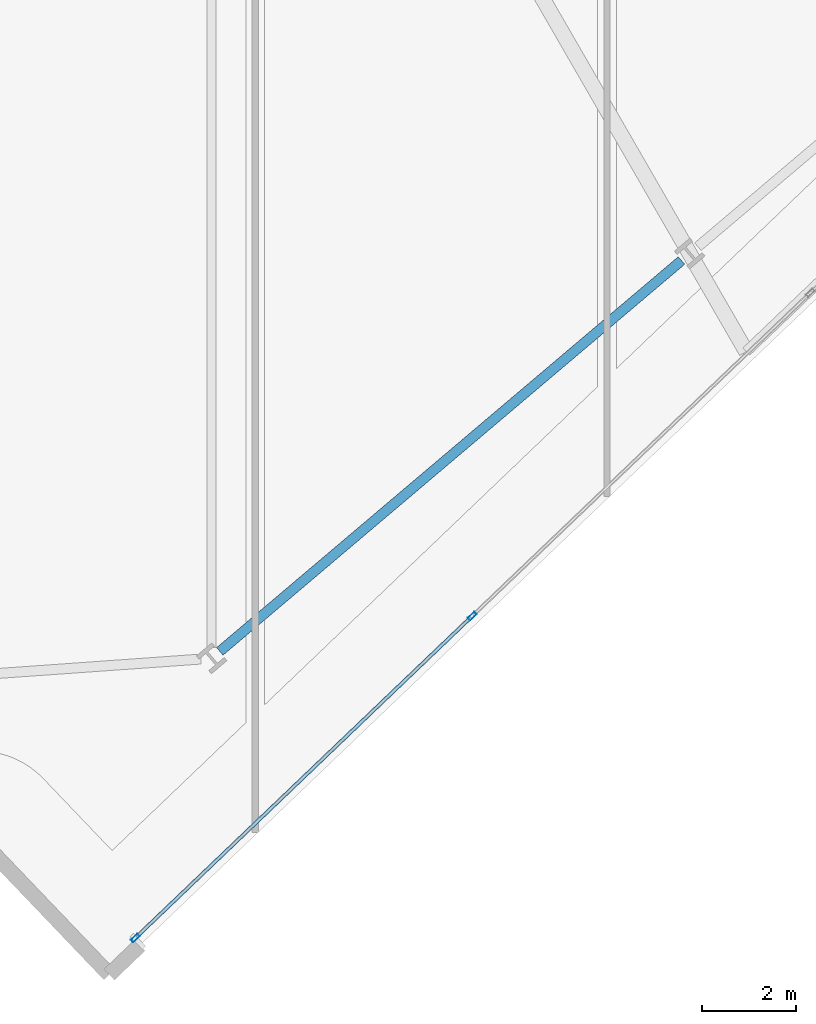
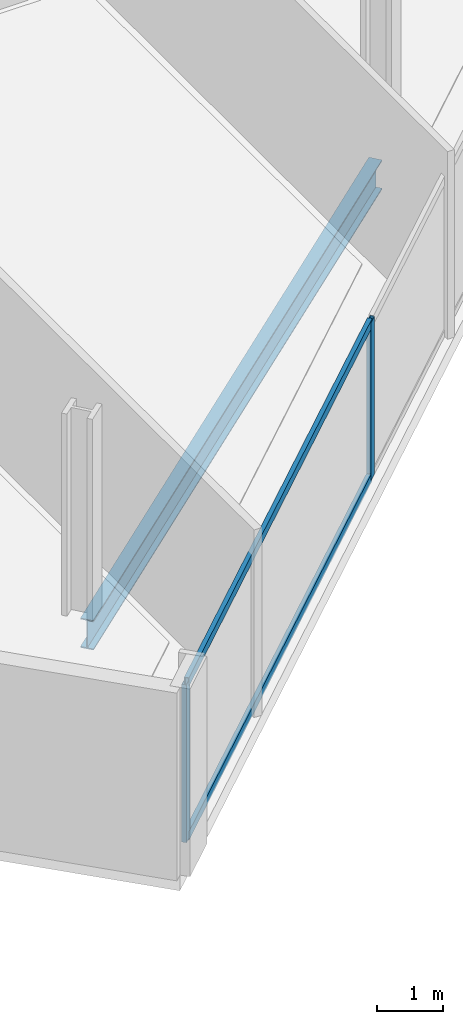
# One storey, part 6 of 33: 4 members, 1 beam, 1 element without a shape of its own.
"""IFC4 building model written with IfcOpenShell, lengths in metres."""

from ifc_helpers import new_model, si_unit, direction, frame, origin, origin_2d, place, context, subcontext, project, spatial, hollow_rectangle, i_section, extrude, material, material_profile, profile_set, type_object, element, aggregate, save


model = new_model("IFC4")

# Units and contexts
model_context = context("Model", 3, precision=1e-05, world=origin(), true_north=direction((0.0, 1.0)))
body_context = subcontext(model_context, "Body", "Model", "MODEL_VIEW")
ifc_project = project(units=[si_unit("LENGTHUNIT", "METRE"), si_unit("AREAUNIT", "SQUARE_METRE"), si_unit("VOLUMEUNIT", "CUBIC_METRE"), si_unit("PLANEANGLEUNIT", "RADIAN"), si_unit("MASSUNIT", "GRAM", prefix="KILO")], contexts=[model_context])

# Site, building, storey
site_placement = place(None, origin())
site = spatial("IfcSite", under=ifc_project, at=site_placement, CompositionType="ELEMENT")
building_placement = place(site_placement, origin())
building = spatial("IfcBuilding", under=site, at=building_placement, Name="Haldenkirk Collegiate Tower", CompositionType="ELEMENT")
storey_placement = place(building_placement, frame((0.0, 0.0, 174.449951171875)))
storey = spatial("IfcBuildingStorey", under=building, at=storey_placement, Name="L43", CompositionType="ELEMENT", Elevation=174.449951171875)

# Beam
ifc_material_1 = material(Name="Steel ASTM A992 Grade 50", Category="steel")
ifc_material_profile_1 = material_profile(ifc_material_1, i_section(OverallWidth=0.2119140625, OverallDepth=0.5439453125, WebThickness=0.01318359375, FlangeThickness=0.021240234375, at=origin_2d()), Name="W21X83")
ifc_profile_set_1 = profile_set([ifc_material_profile_1], Name="Steel ASTM A992 Grade 50")
beam_type = type_object("IfcBeamType", Name="BM-SPANDREL-W21X83", PredefinedType="SPANDREL", material=ifc_profile_set_1)
beam_placement = place(storey_placement, frame((39.743408203125, 1.261474609375, -0.56201171875), z_axis=(0.763233335078, 0.646122957514, 0.0), x_axis=(-0.646122957514, 0.763233335078, 0.0)))
element("IfcBeam", 1, at=beam_placement, inside=storey, type_object=beam_type, Name="L43 perimeter spandrel beam 02", PredefinedType="SPANDREL", context=body_context, shape_type="SweptSolid", body=[
    extrude(i_section(OverallWidth=0.2119140625, OverallDepth=0.5439453125, WebThickness=0.01318359375, FlangeThickness=0.021240234375, at=origin_2d()), origin(), (0.0, 0.0, 1.0), 12.898193359375),
])

# Curtain wall, members
ifc_material_2 = material(Name="Anodised architectural bronze aluminium", Category="aluminium")
curtain_wall_type = type_object("IfcCurtainWallType", Name="CW-SYS2-CONCAVE", PredefinedType="USERDEFINED", material=ifc_material_2)
curtain_wall_placement = place(storey_placement, origin())
curtain_wall = element("IfcCurtainWall", 2, at=curtain_wall_placement, inside=storey, type_object=curtain_wall_type, Name="L43 South concave recessed bronze-anodised curtain wall", ObjectType="UNITISED CURTAIN WALL", PredefinedType="USERDEFINED")
ifc_material_profile_2 = material_profile(ifc_material_2, hollow_rectangle(XDim=0.074951171875, YDim=0.18994140625, WallThickness=0.0048828125, at=origin_2d()), Name="CW-MUL-02")
ifc_profile_set_2 = profile_set([ifc_material_profile_2], Name="Anodised architectural bronze aluminium")
member_type_1 = type_object("IfcMemberType", Name="CW-MUL-02", PredefinedType="MULLION", material=ifc_profile_set_2)
member_1_placement = place(storey_placement, frame((45.124267578125, 2.013916015625, 0.0), z_axis=(0.0, 0.0, 1.0), x_axis=(0.690883419305, -0.722966182425, 0.0)))
member_1 = element("IfcMember", 3, at=member_1_placement, type_object=member_type_1, Name="CW-02 mullion 4", PredefinedType="MULLION", context=body_context, shape_type="SweptSolid", body=[
    extrude(hollow_rectangle(XDim=0.074951171875, YDim=0.18994140625, WallThickness=0.0048828125, at=origin_2d()), origin(), (0.0, 0.0, 1.0), 2.9111328125),
])
member_2_placement = place(storey_placement, frame((37.939697265625, -4.851806640625, 0.0), z_axis=(0.0, 0.0, 1.0), x_axis=(0.690883419305, -0.722966182425, 0.0)))
member_2 = element("IfcMember", 4, at=member_2_placement, type_object=member_type_1, Name="CW-02 mullion 5", PredefinedType="MULLION", context=body_context, shape_type="SweptSolid", body=[
    extrude(hollow_rectangle(XDim=0.074951171875, YDim=0.18994140625, WallThickness=0.0048828125, at=origin_2d()), origin(), (0.0, 0.0, 1.0), 2.9111328125),
])
ifc_material_profile_3 = material_profile(ifc_material_2, hollow_rectangle(XDim=0.074951171875, YDim=0.159912109375, WallThickness=0.0048828125, at=origin_2d()), Name="CW-TRN-02")
ifc_profile_set_3 = profile_set([ifc_material_profile_3], Name="Anodised architectural bronze aluminium")
member_type_2 = type_object("IfcMemberType", Name="CW-TRN-02", PredefinedType="USERDEFINED", material=ifc_profile_set_3)
member_3_placement = place(storey_placement, frame((45.09716796875, 1.988037109375, 0.03759765625), z_axis=(-0.722953596781, -0.690896589151, 0.0), x_axis=(0.690896589151, -0.722953596781, 0.0)))
member_3 = element("IfcMember", 5, at=member_3_placement, type_object=member_type_2, Name="CW-02 transom 4.1", ObjectType="TRANSOM", PredefinedType="USERDEFINED", context=body_context, shape_type="SweptSolid", body=[
    extrude(hollow_rectangle(XDim=0.074951171875, YDim=0.159912109375, WallThickness=0.0048828125, at=origin_2d()), origin(), (0.0, 0.0, 1.0), 9.862548828125),
])
member_4_placement = place(storey_placement, frame((45.09716796875, 1.988037109375, 2.87353515625), z_axis=(-0.722953596781, -0.690896589151, 0.0), x_axis=(0.690896589151, -0.722953596781, 0.0)))
member_4 = element("IfcMember", 6, at=member_4_placement, type_object=member_type_2, Name="CW-02 transom 4.2", ObjectType="TRANSOM", PredefinedType="USERDEFINED", context=body_context, shape_type="SweptSolid", body=[
    extrude(hollow_rectangle(XDim=0.074951171875, YDim=0.159912109375, WallThickness=0.0048828125, at=origin_2d()), origin(), (0.0, 0.0, 1.0), 9.862548828125),
])
aggregate(curtain_wall, [member_1, member_2, member_3, member_4])

save(model, "model.ifc")
